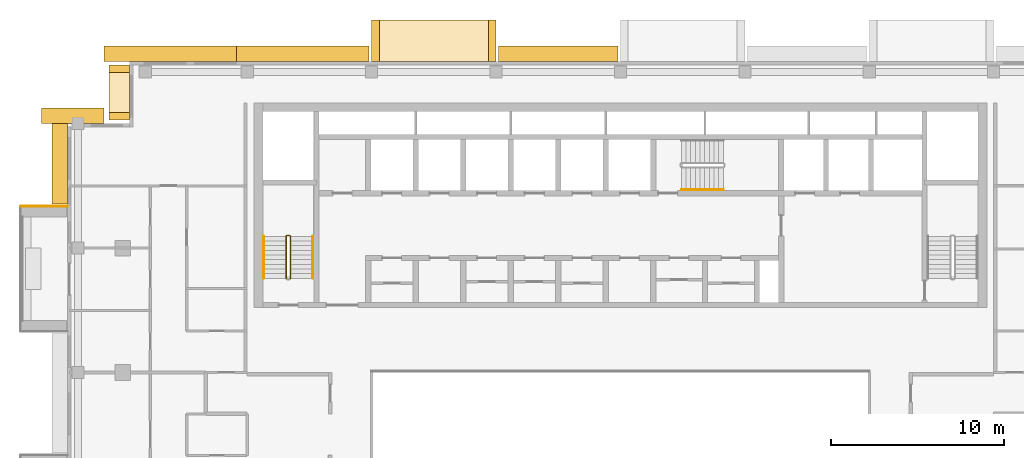
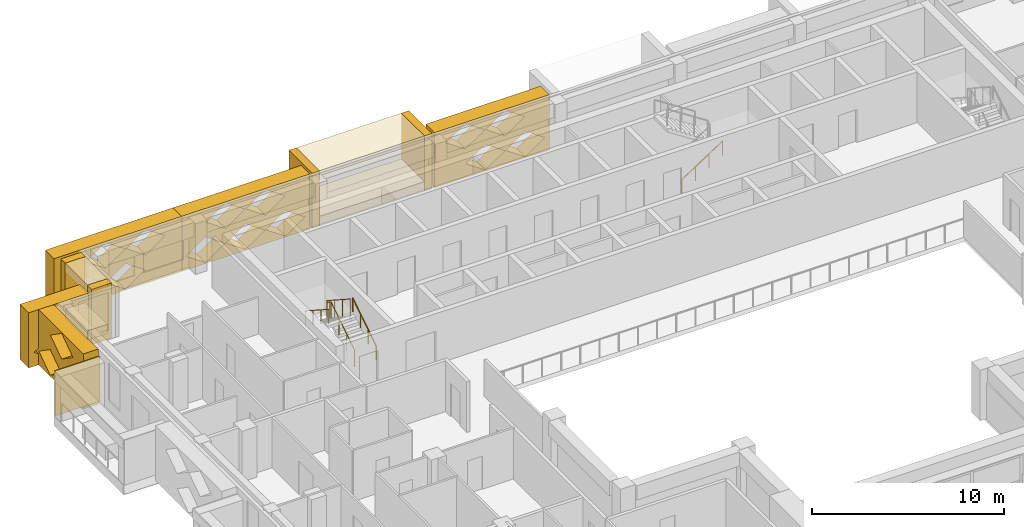
# One storey, part 17 of 19: 14 coverings, 4 railings.
"""IFC4 building model written with IfcOpenShell, lengths in metres."""

import ifcopenshell
import ifcopenshell.guid

model = None  # the IFC model being written
_history = None  # IfcOwnerHistory: only IFC2X3 demands one
_inside = {}  # id of a spatial element -> (the spatial element, [elements in it])
_under = {}  # id of a project, library or spatial element -> (it, [spatial elements below it])
_declared = {}  # id of a project -> (the project, [libraries it declares])
_typed = {}  # id of a type object -> (the type object, [elements of that type])
_made_of = {}  # id of a material, layer set ... -> (it, [elements and type objects made of it])


def new_model(schema):
    """Start an empty IFC model of exactly this schema.

    Asked for "IFC4X3", IfcOpenShell would pick the latest addendum, in which some entities
    have other attributes; the version numbers below select the first issue.
    IFC2X3 requires an IfcOwnerHistory on every rooted entity: one is made here for all.
    """
    global model, _history
    if schema == "IFC4X3":
        model = ifcopenshell.file(schema_version=(4, 3, 0, 0))
    else:
        model = ifcopenshell.file(schema=schema)
    _inside.clear()
    _under.clear()
    _declared.clear()
    _typed.clear()
    _made_of.clear()
    _history = None
    if model.schema == "IFC2X3":
        org = make("IfcOrganization", Name="unknown")
        user = make(
            "IfcPersonAndOrganization",
            ThePerson=make("IfcPerson", FamilyName="unknown"),
            TheOrganization=org,
        )
        app = make(
            "IfcApplication",
            ApplicationDeveloper=org,
            Version="unknown",
            ApplicationFullName="unknown",
            ApplicationIdentifier="unknown",
        )
        _history = make(
            "IfcOwnerHistory",
            OwningUser=user,
            OwningApplication=app,
            ChangeAction="ADDED",
            CreationDate=0,
        )
    return model


def make(cls, **values):
    """One entity of the class cls with the attributes given. An attribute that is None is left unset."""
    return model.create_entity(
        cls, **{name: value for name, value in values.items() if value is not None}
    )


def rooted(cls, **values):
    """An entity with a GlobalId (a new one), such as an element, a storey or a relation."""
    return make(cls, GlobalId=ifcopenshell.guid.new(), OwnerHistory=_history, **values)


def si_unit(unit_type, name, prefix=None):
    """IfcSIUnit, for example si_unit("LENGTHUNIT", "METRE", prefix="MILLI")."""
    return make("IfcSIUnit", UnitType=unit_type, Prefix=prefix, Name=name)


def assignment(units):
    """IfcUnitAssignment: the units of a project."""
    return None if units is None else make("IfcUnitAssignment", Units=units)


def point(xyz):
    """IfcCartesianPoint."""
    return None if xyz is None else make("IfcCartesianPoint", Coordinates=xyz)


def direction(xyz):
    """IfcDirection."""
    return None if xyz is None else make("IfcDirection", DirectionRatios=xyz)


def frame(location, z_axis=None, x_axis=None):
    """IfcAxis2Placement3D, a coordinate frame: its origin and axes. An axis left out is left unset."""
    return make(
        "IfcAxis2Placement3D",
        Location=point(location),
        Axis=direction(z_axis),
        RefDirection=direction(x_axis),
    )


def frame_2d(location, x_axis=None):
    """IfcAxis2Placement2D, a coordinate frame in the plane: its origin and x axis."""
    return make(
        "IfcAxis2Placement2D", Location=point(location), RefDirection=direction(x_axis)
    )


def origin():
    """The frame at (0, 0, 0) with its axes left unset."""
    return frame((0.0, 0.0, 0.0))


def origin_2d():
    """The frame at (0, 0) in the plane with its x axis left unset."""
    return frame_2d((0.0, 0.0))


def place(relative_to, where):
    """IfcLocalPlacement: puts the frame where relative to a parent placement (None: the world)."""
    return make(
        "IfcLocalPlacement", PlacementRelTo=relative_to, RelativePlacement=where
    )


def context(
    kind, dimensions, precision=None, world=None, true_north=None, identifier=None
):
    """IfcGeometricRepresentationContext, for example the 3D "Model" context."""
    return make(
        "IfcGeometricRepresentationContext",
        ContextIdentifier=identifier,
        ContextType=kind,
        CoordinateSpaceDimension=dimensions,
        Precision=precision,
        WorldCoordinateSystem=world,
        TrueNorth=true_north,
    )


def subcontext(parent, identifier, kind, view, scale=None):
    """IfcGeometricRepresentationSubContext, for example "Body" below "Model"."""
    return make(
        "IfcGeometricRepresentationSubContext",
        ContextIdentifier=identifier,
        ContextType=kind,
        ParentContext=parent,
        TargetScale=scale,
        TargetView=view,
    )


def project(units=None, contexts=None):
    """IfcProject with its units and contexts."""
    return rooted(
        "IfcProject",
        Name="project",
        RepresentationContexts=contexts,
        UnitsInContext=assignment(units),
    )


def spatial(cls, under=None, at=None, **own):
    """A site, building, storey or space (cls), placed at a placement, below another one or the project."""
    s = rooted(cls, ObjectPlacement=at, **own)
    if under is not None:
        _under.setdefault(under.id(), (under, []))[1].append(s)
    return s


def polyline(points):
    """IfcPolyline through the points."""
    return make("IfcPolyline", Points=[point(p) for p in points])


def profile(cls, at=None, kind="AREA", **sizes):
    """A parametric profile (cls). Its sizes go by their IFC names, for example OverallWidth=200.0."""
    return make(cls, ProfileType=kind, Position=at, **sizes)


def circle(**sizes):
    """IfcCircleProfileDef."""
    return profile("IfcCircleProfileDef", **sizes)


def outline(outer, holes=None, kind="AREA"):
    """IfcArbitraryClosedProfileDef: a profile drawn as a closed curve; with holes, ...WithVoids."""
    if holes is None:
        return make("IfcArbitraryClosedProfileDef", ProfileType=kind, OuterCurve=outer)
    return make(
        "IfcArbitraryProfileDefWithVoids",
        ProfileType=kind,
        OuterCurve=outer,
        InnerCurves=holes,
    )


def extrude(swept, where, along, depth):
    """IfcExtrudedAreaSolid: the profile swept, set in the frame where, extruded along a direction by depth."""
    return make(
        "IfcExtrudedAreaSolid",
        SweptArea=swept,
        Position=where,
        ExtrudedDirection=direction(along),
        Depth=depth,
    )


def shape(context_of_items, identifier, shape_type, items):
    """IfcShapeRepresentation: the items that make up one representation, for example the "Body"."""
    return make(
        "IfcShapeRepresentation",
        ContextOfItems=context_of_items,
        RepresentationIdentifier=identifier,
        RepresentationType=shape_type,
        Items=items,
    )


def material(Name=None, Category=None):
    """IfcMaterial."""
    return make("IfcMaterial", Name=Name, Category=Category)


def layer(
    of_material, thickness, ventilated=None, Name=None, Category=None, Priority=None
):
    """IfcMaterialLayer: one layer of a wall or slab, of a material (None: an air gap)."""
    return make(
        "IfcMaterialLayer",
        Material=of_material,
        LayerThickness=thickness,
        IsVentilated=ventilated,
        Name=Name,
        Category=Category,
        Priority=Priority,
    )


def layer_set(layers, Name=None):
    """IfcMaterialLayerSet."""
    return make("IfcMaterialLayerSet", MaterialLayers=layers, LayerSetName=Name)


def made_of(thing, what):
    """Note that an element or type object is made of a material, layer set ...; save() writes the relation."""
    if what is not None:
        _made_of.setdefault(what.id(), (what, []))[1].append(thing)
    return thing


def type_object(cls, material=None, **own):
    """A type object (cls), such as IfcWallType, which elements share."""
    return made_of(rooted(cls, **own), material)


def element(
    cls,
    number,
    at=None,
    inside=None,
    cuts=None,
    type_object=None,
    material=None,
    context=None,
    identifier="Body",
    shape_type=None,
    held_by="IfcProductDefinitionShape",
    body=None,
    shapes=None,
    **own,
):
    """One element of the class cls, such as IfcWall. Its Tag is "e" and its number.

    at: its placement. inside: the storey or other place that contains it. cuts: it is an
    opening in that element (IfcRelVoidsElement). A single representation is given by context,
    identifier, shape_type and body (its items); several are given by shapes. held_by: the class
    of the entity that holds the representations. save() writes the other relations.
    """
    e = rooted(cls, Tag="e%d" % number, ObjectPlacement=at, **own)
    if body is not None:
        shapes = [shape(context, identifier, shape_type, body)]
    if shapes is not None:
        e.Representation = make(held_by, Representations=shapes)
    if inside is not None:
        _inside.setdefault(inside.id(), (inside, []))[1].append(e)
    if cuts is not None:
        rooted(
            "IfcRelVoidsElement", RelatingBuildingElement=cuts, RelatedOpeningElement=e
        )
    if type_object is not None:
        _typed.setdefault(type_object.id(), (type_object, []))[1].append(e)
    return made_of(e, material)


def aggregate(whole, parts):
    """IfcRelAggregates: a whole, such as a stair, and the parts it consists of."""
    return rooted("IfcRelAggregates", RelatingObject=whole, RelatedObjects=parts)


def save(model, path):
    """Write the relations noted so far, then the file.

    IfcRelAggregates (storeys below a building ...), IfcRelContainedInSpatialStructure (elements
    in a storey), IfcRelDefinesByType, IfcRelAssociatesMaterial and IfcRelDeclares: one each for
    every whole, place, type object, material and project.
    """
    for whole, parts in _under.values():
        aggregate(whole, parts)
    for where, things in _inside.values():
        rooted(
            "IfcRelContainedInSpatialStructure",
            RelatedElements=things,
            RelatingStructure=where,
        )
    for kind, things in _typed.values():
        rooted("IfcRelDefinesByType", RelatedObjects=things, RelatingType=kind)
    for what, things in _made_of.values():
        rooted("IfcRelAssociatesMaterial", RelatedObjects=things, RelatingMaterial=what)
    for by, libraries in _declared.values():
        rooted("IfcRelDeclares", RelatingContext=by, RelatedDefinitions=libraries)
    model.write(path)


model = new_model("IFC4")

# Units and contexts
model_context = context("Model", 3, precision=1e-05, world=origin(), true_north=direction((0.0, 1.0)))
body_context = subcontext(model_context, "Body", "Model", "MODEL_VIEW")
ifc_project = project(units=[si_unit("LENGTHUNIT", "METRE"), si_unit("AREAUNIT", "SQUARE_METRE"), si_unit("VOLUMEUNIT", "CUBIC_METRE"), si_unit("PLANEANGLEUNIT", "RADIAN"), si_unit("MASSUNIT", "GRAM", prefix="KILO")], contexts=[model_context])

# Site, building, storey
site_placement = place(None, origin())
site = spatial("IfcSite", under=ifc_project, at=site_placement, CompositionType="ELEMENT")
building_placement = place(site_placement, origin())
building = spatial("IfcBuilding", under=site, at=building_placement, Name="Saffron Iwan Residences", CompositionType="ELEMENT")
storey_placement = place(building_placement, frame((0.0, 0.0, 222.0)))
storey = spatial("IfcBuildingStorey", under=building, at=storey_placement, Name="L59", CompositionType="ELEMENT", Elevation=222.0)

# Coverings
ifc_material_1 = material(Name="Precast concrete C40/50 white painted", Category="concrete")
ifc_layer = layer(ifc_material_1, 0.050048828125)
ifc_layer_set = layer_set([ifc_layer], Name="Precast concrete C40/50 white painted")
covering_type_1 = type_object("IfcCoveringType", Name="FRAME SKIN PRECAST WHITE 50", PredefinedType="CLADDING", material=ifc_layer_set)
covering_1_placement = place(storey_placement, origin())
element("IfcCovering", 1, at=covering_1_placement, inside=storey, type_object=covering_type_1, Name="Frame skin fin L59 F8-0a", PredefinedType="CLADDING", context=body_context, shape_type="SweptSolid", body=[
    extrude(outline(polyline([(15.699951171875, 72.050048828125), (15.699951171875, 72.0), (18.39990234375, 72.0), (18.39990234375, 72.050048828125), (15.699951171875, 72.050048828125)])), origin(), (0.0, 0.0, 1.0), 2.85009765625),
])
ifc_material_2 = material(Name="Precast concrete C40/50", Category="concrete")
covering_type_2 = type_object("IfcCoveringType", Name="OUTER SKIN LATTICE SCREEN", PredefinedType="CLADDING", material=ifc_material_2)
covering_2_placement = place(storey_placement, frame((50.25, 80.39990234375, -0.280029296875), z_axis=(0.0, 1.0, 0.0), x_axis=(-1.0, 0.0, 0.0)))
element("IfcCovering", 2, at=covering_2_placement, inside=storey, type_object=covering_type_2, Name="OUTER SKIN lattice screen L59 F5.2", PredefinedType="CLADDING", context=body_context, shape_type="SweptSolid", body=[
    extrude(outline(polyline([(0.0, 0.0), (6.89990234375, 0.0), (6.89990234375, 3.5), (0.0, 3.5), (0.0, 0.0)]), holes=[polyline([(0.27001953125, 0.875), (1.449951171875, 0.06005859375), (2.6298828125, 0.875), (1.449951171875, 1.68994140625), (0.27001953125, 0.875)]), polyline([(2.669921875, 0.875), (3.85009765625, 0.06005859375), (5.030029296875, 0.875), (3.85009765625, 1.68994140625), (2.669921875, 0.875)]), polyline([(1.469970703125, 2.625), (2.64990234375, 1.81005859375), (3.830078125, 2.625), (2.64990234375, 3.43994140625), (1.469970703125, 2.625)]), polyline([(3.8701171875, 2.625), (5.050048828125, 1.81005859375), (6.22998046875, 2.625), (5.050048828125, 3.43994140625), (3.8701171875, 2.625)])]), origin(), (0.0, 0.0, 1.0), 0.900146484375),
])
covering_3_placement = place(storey_placement, frame((35.85009765625, 80.39990234375, -0.280029296875), z_axis=(0.0, 1.0, 0.0), x_axis=(-1.0, 0.0, 0.0)))
element("IfcCovering", 3, at=covering_3_placement, inside=storey, type_object=covering_type_2, Name="OUTER SKIN lattice screen L59 F5.3", PredefinedType="CLADDING", context=body_context, shape_type="SweptSolid", body=[
    extrude(outline(polyline([(0.0, 0.0), (7.675048828125, 0.0), (7.675048828125, 3.5), (0.0, 3.5), (0.0, 0.0)]), holes=[polyline([(0.27001953125, 0.875), (1.449951171875, 0.06005859375), (2.6298828125, 0.875), (1.449951171875, 1.68994140625), (0.27001953125, 0.875)]), polyline([(2.669921875, 0.875), (3.85009765625, 0.06005859375), (5.030029296875, 0.875), (3.85009765625, 1.68994140625), (2.669921875, 0.875)]), polyline([(5.070068359375, 0.875), (6.25, 0.06005859375), (7.429931640625, 0.875), (6.25, 1.68994140625), (5.070068359375, 0.875)]), polyline([(1.469970703125, 2.625), (2.64990234375, 1.81005859375), (3.830078125, 2.625), (2.64990234375, 3.43994140625), (1.469970703125, 2.625)]), polyline([(3.8701171875, 2.625), (5.050048828125, 1.81005859375), (6.22998046875, 2.625), (5.050048828125, 3.43994140625), (3.8701171875, 2.625)])]), origin(), (0.0, 0.0, 1.0), 0.900146484375),
])
covering_4_placement = place(storey_placement, frame((28.175048828125, 80.39990234375, -0.280029296875), z_axis=(0.0, 1.0, 0.0), x_axis=(-1.0, 0.0, 0.0)))
element("IfcCovering", 4, at=covering_4_placement, inside=storey, type_object=covering_type_2, Name="OUTER SKIN lattice screen L59 F5.4", PredefinedType="CLADDING", context=body_context, shape_type="SweptSolid", body=[
    extrude(outline(polyline([(0.0, 0.0), (7.675048828125, 0.0), (7.675048828125, 3.5), (0.0, 3.5), (0.0, 0.0)]), holes=[polyline([(2.195068359375, 0.875), (3.375, 0.06005859375), (4.554931640625, 0.875), (3.375, 1.68994140625), (2.195068359375, 0.875)]), polyline([(4.594970703125, 0.875), (5.77490234375, 0.06005859375), (6.955078125, 0.875), (5.77490234375, 1.68994140625), (4.594970703125, 0.875)]), polyline([(0.9951171875, 2.625), (2.175048828125, 1.81005859375), (3.35498046875, 2.625), (2.175048828125, 3.43994140625), (0.9951171875, 2.625)]), polyline([(3.39501953125, 2.625), (4.574951171875, 1.81005859375), (5.7548828125, 2.625), (4.574951171875, 3.43994140625), (3.39501953125, 2.625)])]), origin(), (0.0, 0.0, 1.0), 0.900146484375),
])
covering_5_placement = place(storey_placement, frame((20.5, 76.800048828125, -0.280029296875), z_axis=(0.0, 1.0, 0.0), x_axis=(-1.0, 0.0, 0.0)))
element("IfcCovering", 5, at=covering_5_placement, inside=storey, type_object=covering_type_2, Name="OUTER SKIN lattice screen L59 F7.0", PredefinedType="CLADDING", context=body_context, shape_type="SweptSolid", body=[
    extrude(outline(polyline([(0.0, 0.0), (3.60009765625, 0.0), (3.60009765625, 3.5), (0.0, 3.5), (0.0, 0.0)]), holes=[polyline([(0.919921875, 0.875), (2.10009765625, 0.06005859375), (3.280029296875, 0.875), (2.10009765625, 1.68994140625), (0.919921875, 0.875)])]), origin(), (0.0, 0.0, 1.0), 0.89990234375),
])
covering_6_placement = place(storey_placement, frame((18.39990234375, 77.699951171875, -0.280029296875), z_axis=(-1.0, 0.0, 0.0), x_axis=(0.0, -1.0, 0.0)))
element("IfcCovering", 6, at=covering_6_placement, inside=storey, type_object=covering_type_2, Name="OUTER SKIN lattice screen L59 F8.0", PredefinedType="CLADDING", context=body_context, shape_type="SweptSolid", body=[
    extrude(outline(polyline([(0.0, 0.0), (5.550048828125, 0.0), (5.550048828125, 3.5), (0.0, 3.5), (0.0, 0.0)]), holes=[polyline([(0.919921875, 0.875), (2.10009765625, 0.06005859375), (3.280029296875, 0.875), (2.10009765625, 1.68994140625), (0.919921875, 0.875)]), polyline([(2.1201171875, 2.625), (3.300048828125, 1.81005859375), (4.47998046875, 2.625), (3.300048828125, 3.43994140625), (2.1201171875, 2.625)])]), origin(), (0.0, 0.0, 1.0), 0.89990234375),
])

# Railings
ifc_material_3 = material(Name="Steel S355", Category="steel")
railing_type_1 = type_object("IfcRailingType", Name="Stair guard 1100", PredefinedType="GUARDRAIL", material=ifc_material_3)
railing_1_placement = place(storey_placement, frame((31.300048828125, 67.85009765625, 0.175048828125)))
element("IfcRailing", 7, at=railing_1_placement, inside=storey, type_object=railing_type_1, Name="L59 ST-W stair guard 1", PredefinedType="GUARDRAIL", context=body_context, shape_type="SweptSolid", body=[
    extrude(circle(Radius=0.02392578125, at=origin_2d()), frame((0.0, 0.0, 1.076171875), z_axis=(0.0, 0.839153699163, 0.543894354798), x_axis=(-1.0, 0.0, 0.0)), (0.0, 0.0, 1.0), 2.895751953125),
    extrude(circle(Radius=0.02392578125, at=origin_2d()), frame((0.0, 2.429931640625, 2.65087890625), z_axis=(-0.707106781187, 0.707106781187, 0.0), x_axis=(-0.707106781187, -0.707106781187, 0.0)), (0.0, 0.0, 1.0), 0.07080078125),
    extrude(circle(Radius=0.02392578125, at=origin_2d()), frame((-0.050048828125, 2.47998046875, 2.65087890625), z_axis=(-1.0, 0.0, 0.0), x_axis=(0.0, -1.0, 0.0)), (0.0, 0.0, 1.0), 0.14990234375),
    extrude(circle(Radius=0.02392578125, at=origin_2d()), frame((-0.199951171875, 2.47998046875, 2.65087890625), z_axis=(-0.265065253269, -0.265065253269, 0.927081885822), x_axis=(0.707106781187, -0.707106781187, 0.0)), (0.0, 0.0, 1.0), 0.188720703125),
    extrude(circle(Radius=0.02392578125, at=origin_2d()), frame((-0.25, 2.429931640625, 2.826171875), z_axis=(0.0, -0.839153699163, 0.543894354798), x_axis=(1.0, 0.0, 0.0)), (0.0, 0.0, 1.0), 2.895751953125),
    extrude(circle(Radius=0.02099609375, at=origin_2d()), origin(), (0.0, 0.0, 1.0), 1.052001953125),
    extrude(circle(Radius=0.02099609375, at=origin_2d()), frame((0.0, 0.81005859375, 0.52490234375)), (0.0, 0.0, 1.0), 1.052001953125),
    extrude(circle(Radius=0.02099609375, at=origin_2d()), frame((0.0, 1.619873046875, 1.050048828125)), (0.0, 0.0, 1.0), 1.052001953125),
    extrude(circle(Radius=0.02099609375, at=origin_2d()), frame((0.0, 2.429931640625, 1.574951171875)), (0.0, 0.0, 1.0), 1.052001953125),
    extrude(circle(Radius=0.02099609375, at=origin_2d()), frame((-0.050048828125, 2.47998046875, 1.574951171875)), (0.0, 0.0, 1.0), 1.052001953125),
    extrude(circle(Radius=0.02099609375, at=origin_2d()), frame((-0.199951171875, 2.47998046875, 1.574951171875)), (0.0, 0.0, 1.0), 1.052001953125),
    extrude(circle(Radius=0.02099609375, at=origin_2d()), frame((-0.25, 2.429931640625, 1.75)), (0.0, 0.0, 1.0), 1.052001953125),
    extrude(circle(Radius=0.02099609375, at=origin_2d()), frame((-0.25, 1.619873046875, 2.27490234375)), (0.0, 0.0, 1.0), 1.052001953125),
    extrude(circle(Radius=0.02099609375, at=origin_2d()), frame((-0.25, 0.81005859375, 2.800048828125)), (0.0, 0.0, 1.0), 1.052001953125),
    extrude(circle(Radius=0.02099609375, at=origin_2d()), frame((-0.25, 0.0, 3.324951171875)), (0.0, 0.0, 1.0), 1.052001953125),
])
ifc_material_4 = material(Name="Stainless steel 316", Category="steel")
railing_type_2 = type_object("IfcRailingType", Name="Stair handrail 900", PredefinedType="HANDRAIL", material=ifc_material_4)
railing_2_placement = place(storey_placement, frame((32.60009765625, 67.85009765625, 0.175048828125)))
element("IfcRailing", 8, at=railing_2_placement, inside=storey, type_object=railing_type_2, Name="L59 ST-W stair handrail 1", PredefinedType="HANDRAIL", context=body_context, shape_type="SweptSolid", body=[
    extrude(circle(Radius=0.02392578125, at=origin_2d()), frame((0.0, 0.0, 0.8759765625), z_axis=(0.0, 0.839153699163, 0.543894354798), x_axis=(-1.0, 0.0, 0.0)), (0.0, 0.0, 1.0), 2.895751953125),
    extrude(circle(Radius=0.02099609375, at=origin_2d()), origin(), (0.0, 0.0, 1.0), 0.851806640625),
    extrude(circle(Radius=0.02099609375, at=origin_2d()), frame((0.0, 0.81005859375, 0.52490234375)), (0.0, 0.0, 1.0), 0.851806640625),
    extrude(circle(Radius=0.02099609375, at=origin_2d()), frame((0.0, 1.619873046875, 1.050048828125)), (0.0, 0.0, 1.0), 0.851806640625),
    extrude(circle(Radius=0.02099609375, at=origin_2d()), frame((0.0, 2.429931640625, 1.574951171875)), (0.0, 0.0, 1.0), 0.851806640625),
])
railing_3_placement = place(storey_placement, frame((29.75, 70.280029296875, 1.925048828125)))
element("IfcRailing", 9, at=railing_3_placement, inside=storey, type_object=railing_type_2, Name="L59 ST-W stair handrail 2", PredefinedType="HANDRAIL", context=body_context, shape_type="SweptSolid", body=[
    extrude(circle(Radius=0.02392578125, at=origin_2d()), frame((0.0, 0.0, 0.8759765625), z_axis=(0.0, -0.839153699163, 0.543894354798), x_axis=(1.0, 0.0, 0.0)), (0.0, 0.0, 1.0), 2.895751953125),
    extrude(circle(Radius=0.02099609375, at=origin_2d()), origin(), (0.0, 0.0, 1.0), 0.851806640625),
    extrude(circle(Radius=0.02099609375, at=origin_2d()), frame((0.0, -0.81005859375, 0.52490234375)), (0.0, 0.0, 1.0), 0.851806640625),
    extrude(circle(Radius=0.02099609375, at=origin_2d()), frame((0.0, -1.619873046875, 1.050048828125)), (0.0, 0.0, 1.0), 0.851806640625),
    extrude(circle(Radius=0.02099609375, at=origin_2d()), frame((0.0, -2.429931640625, 1.574951171875)), (0.0, 0.0, 1.0), 0.851806640625),
])
railing_4_placement = place(storey_placement, frame((53.925048828125, 72.97509765625, 0.175048828125)))
element("IfcRailing", 10, at=railing_4_placement, inside=storey, type_object=railing_type_2, Name="L59 ST-C stair handrail 1", PredefinedType="HANDRAIL", context=body_context, shape_type="SweptSolid", body=[
    extrude(circle(Radius=0.02392578125, at=origin_2d()), frame((0.0, 0.0, 0.8759765625), z_axis=(0.839153699163, 0.0, 0.543894354798), x_axis=(0.0, 1.0, 0.0)), (0.0, 0.0, 1.0), 2.895751953125),
    extrude(circle(Radius=0.02099609375, at=origin_2d()), origin(), (0.0, 0.0, 1.0), 0.851806640625),
    extrude(circle(Radius=0.02099609375, at=origin_2d()), frame((0.81005859375, 0.0, 0.52490234375)), (0.0, 0.0, 1.0), 0.851806640625),
    extrude(circle(Radius=0.02099609375, at=origin_2d()), frame((1.619873046875, 0.0, 1.050048828125)), (0.0, 0.0, 1.0), 0.851806640625),
    extrude(circle(Radius=0.02099609375, at=origin_2d()), frame((2.429931640625, 0.0, 1.574951171875)), (0.0, 0.0, 1.0), 0.851806640625),
])

# Coverings
covering_type_3 = type_object("IfcCoveringType", Name="WHITE SUN FRAME PRECAST", PredefinedType="CLADDING", material=ifc_material_1)
for number, where, z_axis, x_axis, name in (
    (11, (43.199951171875, 80.39990234375, -0.280029296875), (0.0, 1.0, 0.0), (-1.0, 0.0, 0.0), "Sun frame L59 F5 35.6a"),
    (12, (36.449951171875, 80.39990234375, -0.280029296875), (0.0, 1.0, 0.0), (-1.0, 0.0, 0.0), "Sun frame L59 F5 35.6b"),
):
    element("IfcCovering", number, at=place(storey_placement, frame(where, z_axis=z_axis, x_axis=x_axis)), inside=storey, type_object=covering_type_3, Name=name, PredefinedType="CLADDING", context=body_context, shape_type="SweptSolid", body=[
        extrude(outline(polyline([(0.0, 0.0), (0.449951171875, 0.0), (0.449951171875, 3.5), (0.0, 3.5), (0.0, 0.0)])), origin(), (0.0, 0.0, 1.0), 2.400146484375),
    ])
for number, where, z_axis, x_axis, name in (
    (13, (42.75, 80.39990234375, 2.6201171875), (0.0, 1.0, 0.0), (-1.0, 0.0, 0.0), "Sun frame L59 F5 35.6h"),
    (14, (42.75, 80.39990234375, -0.280029296875), (0.0, 1.0, 0.0), (-1.0, 0.0, 0.0), "Sun frame L59 F5 35.6s"),
):
    element("IfcCovering", number, at=place(storey_placement, frame(where, z_axis=z_axis, x_axis=x_axis)), inside=storey, type_object=covering_type_3, Name=name, PredefinedType="CLADDING", context=body_context, shape_type="SweptSolid", body=[
        extrude(outline(polyline([(0.0, 0.0), (6.300048828125, 0.0), (6.300048828125, 0.60009765625), (0.0, 0.60009765625), (0.0, 0.0)])), origin(), (0.0, 0.0, 1.0), 2.400146484375),
    ])
for number, where, z_axis, x_axis, name in (
    (15, (22.0, 80.199951171875, -0.280029296875), (-1.0, 0.0, 0.0), (0.0, -1.0, 0.0), "Sun frame L59 F6 0.2a"),
    (16, (22.0, 77.449951171875, -0.280029296875), (-1.0, 0.0, 0.0), (0.0, -1.0, 0.0), "Sun frame L59 F6 0.2b"),
):
    element("IfcCovering", number, at=place(storey_placement, frame(where, z_axis=z_axis, x_axis=x_axis)), inside=storey, type_object=covering_type_3, Name=name, PredefinedType="CLADDING", context=body_context, shape_type="SweptSolid", body=[
        extrude(outline(polyline([(0.0, 0.0), (0.449951171875, 0.0), (0.449951171875, 3.5), (0.0, 3.5), (0.0, 0.0)])), origin(), (0.0, 0.0, 1.0), 1.199951171875),
    ])
for number, where, z_axis, x_axis, name in (
    (17, (22.0, 79.75, 2.6201171875), (-1.0, 0.0, 0.0), (0.0, -1.0, 0.0), "Sun frame L59 F6 0.2h"),
    (18, (22.0, 79.75, -0.280029296875), (-1.0, 0.0, 0.0), (0.0, -1.0, 0.0), "Sun frame L59 F6 0.2s"),
):
    element("IfcCovering", number, at=place(storey_placement, frame(where, z_axis=z_axis, x_axis=x_axis)), inside=storey, type_object=covering_type_3, Name=name, PredefinedType="CLADDING", context=body_context, shape_type="SweptSolid", body=[
        extrude(outline(polyline([(0.0, 0.0), (2.300048828125, 0.0), (2.300048828125, 0.60009765625), (0.0, 0.60009765625), (0.0, 0.0)])), origin(), (0.0, 0.0, 1.0), 1.199951171875),
    ])

save(model, "model.ifc")
